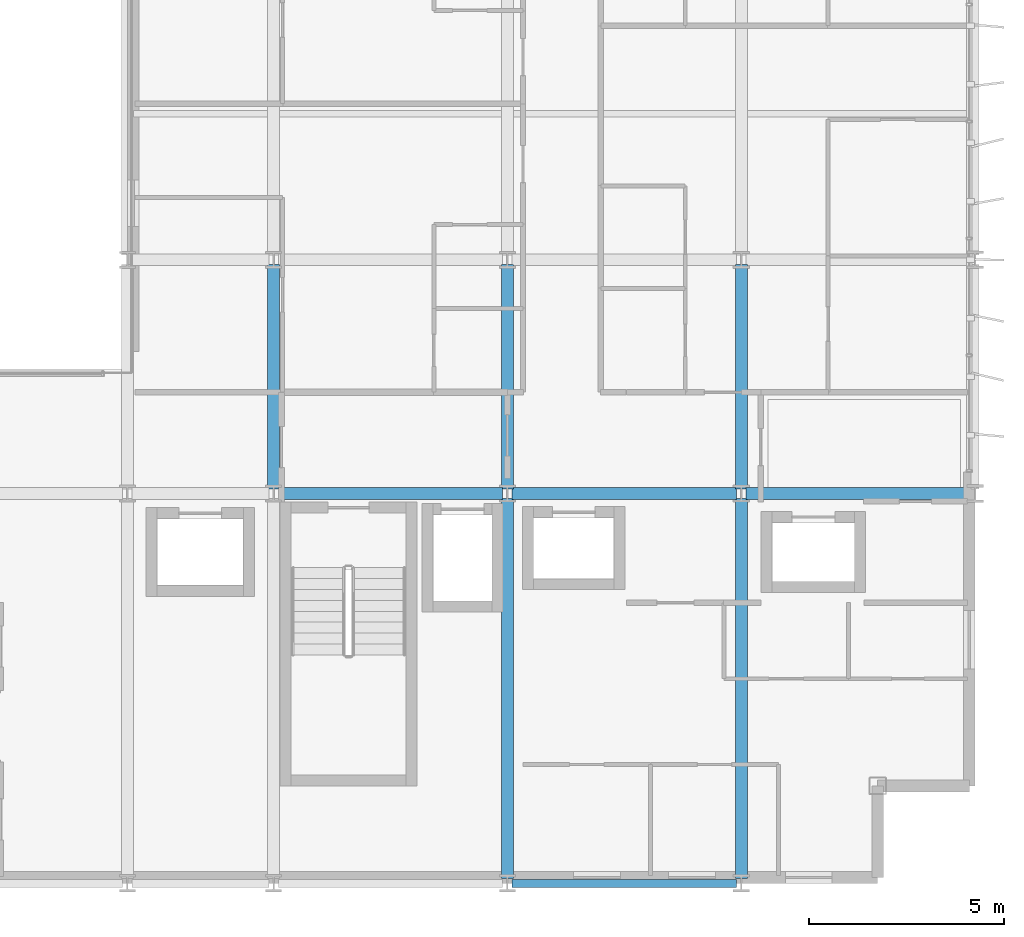
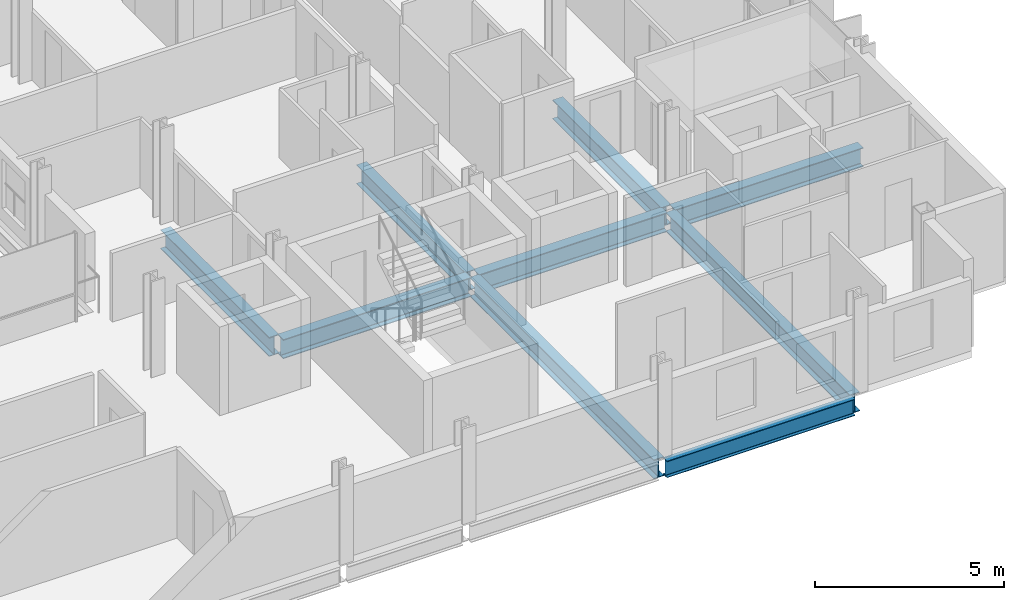
# One storey, part 14 of 38: 9 beams.
"""IFC4 building model written with IfcOpenShell, lengths in metres."""

import ifcopenshell
import ifcopenshell.guid

model = None  # the IFC model being written
_history = None  # IfcOwnerHistory: only IFC2X3 demands one
_inside = {}  # id of a spatial element -> (the spatial element, [elements in it])
_under = {}  # id of a project, library or spatial element -> (it, [spatial elements below it])
_declared = {}  # id of a project -> (the project, [libraries it declares])
_typed = {}  # id of a type object -> (the type object, [elements of that type])
_made_of = {}  # id of a material, layer set ... -> (it, [elements and type objects made of it])


def new_model(schema):
    """Start an empty IFC model of exactly this schema.

    Asked for "IFC4X3", IfcOpenShell would pick the latest addendum, in which some entities
    have other attributes; the version numbers below select the first issue.
    IFC2X3 requires an IfcOwnerHistory on every rooted entity: one is made here for all.
    """
    global model, _history
    if schema == "IFC4X3":
        model = ifcopenshell.file(schema_version=(4, 3, 0, 0))
    else:
        model = ifcopenshell.file(schema=schema)
    _inside.clear()
    _under.clear()
    _declared.clear()
    _typed.clear()
    _made_of.clear()
    _history = None
    if model.schema == "IFC2X3":
        org = make("IfcOrganization", Name="unknown")
        user = make(
            "IfcPersonAndOrganization",
            ThePerson=make("IfcPerson", FamilyName="unknown"),
            TheOrganization=org,
        )
        app = make(
            "IfcApplication",
            ApplicationDeveloper=org,
            Version="unknown",
            ApplicationFullName="unknown",
            ApplicationIdentifier="unknown",
        )
        _history = make(
            "IfcOwnerHistory",
            OwningUser=user,
            OwningApplication=app,
            ChangeAction="ADDED",
            CreationDate=0,
        )
    return model


def make(cls, **values):
    """One entity of the class cls with the attributes given. An attribute that is None is left unset."""
    return model.create_entity(
        cls, **{name: value for name, value in values.items() if value is not None}
    )


def rooted(cls, **values):
    """An entity with a GlobalId (a new one), such as an element, a storey or a relation."""
    return make(cls, GlobalId=ifcopenshell.guid.new(), OwnerHistory=_history, **values)


def si_unit(unit_type, name, prefix=None):
    """IfcSIUnit, for example si_unit("LENGTHUNIT", "METRE", prefix="MILLI")."""
    return make("IfcSIUnit", UnitType=unit_type, Prefix=prefix, Name=name)


def assignment(units):
    """IfcUnitAssignment: the units of a project."""
    return None if units is None else make("IfcUnitAssignment", Units=units)


def point(xyz):
    """IfcCartesianPoint."""
    return None if xyz is None else make("IfcCartesianPoint", Coordinates=xyz)


def direction(xyz):
    """IfcDirection."""
    return None if xyz is None else make("IfcDirection", DirectionRatios=xyz)


def frame(location, z_axis=None, x_axis=None):
    """IfcAxis2Placement3D, a coordinate frame: its origin and axes. An axis left out is left unset."""
    return make(
        "IfcAxis2Placement3D",
        Location=point(location),
        Axis=direction(z_axis),
        RefDirection=direction(x_axis),
    )


def frame_2d(location, x_axis=None):
    """IfcAxis2Placement2D, a coordinate frame in the plane: its origin and x axis."""
    return make(
        "IfcAxis2Placement2D", Location=point(location), RefDirection=direction(x_axis)
    )


def origin():
    """The frame at (0, 0, 0) with its axes left unset."""
    return frame((0.0, 0.0, 0.0))


def origin_2d():
    """The frame at (0, 0) in the plane with its x axis left unset."""
    return frame_2d((0.0, 0.0))


def place(relative_to, where):
    """IfcLocalPlacement: puts the frame where relative to a parent placement (None: the world)."""
    return make(
        "IfcLocalPlacement", PlacementRelTo=relative_to, RelativePlacement=where
    )


def context(
    kind, dimensions, precision=None, world=None, true_north=None, identifier=None
):
    """IfcGeometricRepresentationContext, for example the 3D "Model" context."""
    return make(
        "IfcGeometricRepresentationContext",
        ContextIdentifier=identifier,
        ContextType=kind,
        CoordinateSpaceDimension=dimensions,
        Precision=precision,
        WorldCoordinateSystem=world,
        TrueNorth=true_north,
    )


def subcontext(parent, identifier, kind, view, scale=None):
    """IfcGeometricRepresentationSubContext, for example "Body" below "Model"."""
    return make(
        "IfcGeometricRepresentationSubContext",
        ContextIdentifier=identifier,
        ContextType=kind,
        ParentContext=parent,
        TargetScale=scale,
        TargetView=view,
    )


def project(units=None, contexts=None):
    """IfcProject with its units and contexts."""
    return rooted(
        "IfcProject",
        Name="project",
        RepresentationContexts=contexts,
        UnitsInContext=assignment(units),
    )


def spatial(cls, under=None, at=None, **own):
    """A site, building, storey or space (cls), placed at a placement, below another one or the project."""
    s = rooted(cls, ObjectPlacement=at, **own)
    if under is not None:
        _under.setdefault(under.id(), (under, []))[1].append(s)
    return s


def profile(cls, at=None, kind="AREA", **sizes):
    """A parametric profile (cls). Its sizes go by their IFC names, for example OverallWidth=200.0."""
    return make(cls, ProfileType=kind, Position=at, **sizes)


def i_section(**sizes):
    """IfcIShapeProfileDef."""
    return profile("IfcIShapeProfileDef", **sizes)


def extrude(swept, where, along, depth):
    """IfcExtrudedAreaSolid: the profile swept, set in the frame where, extruded along a direction by depth."""
    return make(
        "IfcExtrudedAreaSolid",
        SweptArea=swept,
        Position=where,
        ExtrudedDirection=direction(along),
        Depth=depth,
    )


def shape(context_of_items, identifier, shape_type, items):
    """IfcShapeRepresentation: the items that make up one representation, for example the "Body"."""
    return make(
        "IfcShapeRepresentation",
        ContextOfItems=context_of_items,
        RepresentationIdentifier=identifier,
        RepresentationType=shape_type,
        Items=items,
    )


def material(Name=None, Category=None):
    """IfcMaterial."""
    return make("IfcMaterial", Name=Name, Category=Category)


def material_profile(
    of_material, cross_section, Name=None, Category=None, Priority=None
):
    """IfcMaterialProfile: a cross section and its material."""
    return make(
        "IfcMaterialProfile",
        Name=Name,
        Material=of_material,
        Profile=cross_section,
        Priority=Priority,
        Category=Category,
    )


def profile_set(profiles, Name=None, composite=None):
    """IfcMaterialProfileSet."""
    return make(
        "IfcMaterialProfileSet",
        Name=Name,
        MaterialProfiles=profiles,
        CompositeProfile=composite,
    )


def made_of(thing, what):
    """Note that an element or type object is made of a material, layer set ...; save() writes the relation."""
    if what is not None:
        _made_of.setdefault(what.id(), (what, []))[1].append(thing)
    return thing


def type_object(cls, material=None, **own):
    """A type object (cls), such as IfcWallType, which elements share."""
    return made_of(rooted(cls, **own), material)


def element(
    cls,
    number,
    at=None,
    inside=None,
    cuts=None,
    type_object=None,
    material=None,
    context=None,
    identifier="Body",
    shape_type=None,
    held_by="IfcProductDefinitionShape",
    body=None,
    shapes=None,
    **own,
):
    """One element of the class cls, such as IfcWall. Its Tag is "e" and its number.

    at: its placement. inside: the storey or other place that contains it. cuts: it is an
    opening in that element (IfcRelVoidsElement). A single representation is given by context,
    identifier, shape_type and body (its items); several are given by shapes. held_by: the class
    of the entity that holds the representations. save() writes the other relations.
    """
    e = rooted(cls, Tag="e%d" % number, ObjectPlacement=at, **own)
    if body is not None:
        shapes = [shape(context, identifier, shape_type, body)]
    if shapes is not None:
        e.Representation = make(held_by, Representations=shapes)
    if inside is not None:
        _inside.setdefault(inside.id(), (inside, []))[1].append(e)
    if cuts is not None:
        rooted(
            "IfcRelVoidsElement", RelatingBuildingElement=cuts, RelatedOpeningElement=e
        )
    if type_object is not None:
        _typed.setdefault(type_object.id(), (type_object, []))[1].append(e)
    return made_of(e, material)


def aggregate(whole, parts):
    """IfcRelAggregates: a whole, such as a stair, and the parts it consists of."""
    return rooted("IfcRelAggregates", RelatingObject=whole, RelatedObjects=parts)


def save(model, path):
    """Write the relations noted so far, then the file.

    IfcRelAggregates (storeys below a building ...), IfcRelContainedInSpatialStructure (elements
    in a storey), IfcRelDefinesByType, IfcRelAssociatesMaterial and IfcRelDeclares: one each for
    every whole, place, type object, material and project.
    """
    for whole, parts in _under.values():
        aggregate(whole, parts)
    for where, things in _inside.values():
        rooted(
            "IfcRelContainedInSpatialStructure",
            RelatedElements=things,
            RelatingStructure=where,
        )
    for kind, things in _typed.values():
        rooted("IfcRelDefinesByType", RelatedObjects=things, RelatingType=kind)
    for what, things in _made_of.values():
        rooted("IfcRelAssociatesMaterial", RelatedObjects=things, RelatingMaterial=what)
    for by, libraries in _declared.values():
        rooted("IfcRelDeclares", RelatingContext=by, RelatedDefinitions=libraries)
    model.write(path)


model = new_model("IFC4")

# Units and contexts
model_context = context("Model", 3, precision=1e-05, world=origin(), true_north=direction((0.0, 1.0)))
body_context = subcontext(model_context, "Body", "Model", "MODEL_VIEW")
ifc_project = project(units=[si_unit("LENGTHUNIT", "METRE"), si_unit("AREAUNIT", "SQUARE_METRE"), si_unit("VOLUMEUNIT", "CUBIC_METRE"), si_unit("PLANEANGLEUNIT", "RADIAN"), si_unit("MASSUNIT", "GRAM", prefix="KILO")], contexts=[model_context])

# Site, building, storey
site_placement = place(None, origin())
site = spatial("IfcSite", under=ifc_project, at=site_placement, CompositionType="ELEMENT")
building_placement = place(site_placement, origin())
building = spatial("IfcBuilding", under=site, at=building_placement, Name="Brevholm Reach", CompositionType="ELEMENT")
storey_placement = place(building_placement, frame((0.0, 0.0, 65.199951171875)))
storey = spatial("IfcBuildingStorey", under=building, at=storey_placement, Name="L18", CompositionType="ELEMENT", Elevation=65.199951171875)

# Beams
ifc_material_1 = material(Name="Structural Steel S355J2", Category="steel")
ifc_material_profile_1 = material_profile(ifc_material_1, i_section(OverallWidth=0.210693359375, OverallDepth=0.53955078125, WebThickness=0.01171875, FlangeThickness=0.018798828125, FilletRadius=0.0126953125, at=origin_2d()), Name="UKB 533x210x109")
ifc_profile_set_1 = profile_set([ifc_material_profile_1], Name="Structural Steel S355J2")
beam_type_1 = type_object("IfcBeamType", Name="BM-SP539", PredefinedType="SPANDREL", material=ifc_profile_set_1)
beam_1_placement = place(storey_placement, frame((48.1201171875, 0.0, -0.499755859375), z_axis=(1.0, 0.0, 0.0), x_axis=(0.0, 1.0, 0.0)))
element("IfcBeam", 1, at=beam_1_placement, inside=storey, type_object=beam_type_1, Name="L18 SP-01B Framing Beam", PredefinedType="SPANDREL", context=body_context, shape_type="SweptSolid", body=[
    extrude(i_section(OverallWidth=0.210693359375, OverallDepth=0.53955078125, WebThickness=0.01171875, FlangeThickness=0.018798828125, FilletRadius=0.0126953125, at=origin_2d()), origin(), (0.0, 0.0, 1.0), 5.759765625),
])
ifc_material_2 = material(Name="Structural Steel S355J2", Category="steel")
ifc_material_profile_2 = material_profile(ifc_material_2, i_section(OverallWidth=0.30712890625, OverallDepth=0.6201171875, WebThickness=0.01416015625, FlangeThickness=0.023681640625, FilletRadius=0.0166015625, at=origin_2d()), Name="UKB 610x305x179")
ifc_profile_set_2 = profile_set([ifc_material_profile_2], Name="Structural Steel S355J2")
beam_type_2 = type_object("IfcBeamType", Name="BM-UKB610H", PredefinedType="USERDEFINED", material=ifc_profile_set_2)
for number, where, z_axis, x_axis, name in (
    (2, (42.1201171875, 10.0, -0.5400390625), (1.0, 0.0, 0.0), (0.0, 1.0, 0.0), "L18 G-06 Framing Beam"),
    (3, (48.1201171875, 10.0, -0.5400390625), (1.0, 0.0, 0.0), (0.0, 1.0, 0.0), "L18 G-06 Framing Beam"),
    (4, (54.1201171875, 10.0, -0.5400390625), (1.0, 0.0, 0.0), (0.0, 1.0, 0.0), "L18 G-06 Framing Beam"),
    (5, (42.0, 10.1201171875, -0.5400390625), (0.0, 1.0, 0.0), (-1.0, 0.0, 0.0), "L18 G-06 Framing Beam"),
):
    element("IfcBeam", number, at=place(storey_placement, frame(where, z_axis=z_axis, x_axis=x_axis)), inside=storey, type_object=beam_type_2, Name=name, ObjectType="GIRDER", PredefinedType="USERDEFINED", context=body_context, shape_type="SweptSolid", body=[
        extrude(i_section(OverallWidth=0.30712890625, OverallDepth=0.6201171875, WebThickness=0.01416015625, FlangeThickness=0.023681640625, FilletRadius=0.0166015625, at=origin_2d()), origin(), (0.0, 0.0, 1.0), 5.759765625),
    ])
beam_2_placement = place(storey_placement, frame((48.0, 0.1201171875, -0.5400390625), z_axis=(0.0, 1.0, 0.0), x_axis=(-1.0, 0.0, 0.0)))
element("IfcBeam", 6, at=beam_2_placement, inside=storey, type_object=beam_type_2, Name="L18 G-06 Framing Beam", ObjectType="GIRDER", PredefinedType="USERDEFINED", context=body_context, shape_type="SweptSolid", body=[
    extrude(i_section(OverallWidth=0.30712890625, OverallDepth=0.6201171875, WebThickness=0.01416015625, FlangeThickness=0.023681640625, FilletRadius=0.0166015625, at=origin_2d()), origin(), (0.0, 0.0, 1.0), 9.759765625),
])
beam_3_placement = place(storey_placement, frame((48.0, 10.1201171875, -0.5400390625), z_axis=(0.0, 1.0, 0.0), x_axis=(-1.0, 0.0, 0.0)))
element("IfcBeam", 7, at=beam_3_placement, inside=storey, type_object=beam_type_2, Name="L18 G-06 Framing Beam", ObjectType="GIRDER", PredefinedType="USERDEFINED", context=body_context, shape_type="SweptSolid", body=[
    extrude(i_section(OverallWidth=0.30712890625, OverallDepth=0.6201171875, WebThickness=0.01416015625, FlangeThickness=0.023681640625, FilletRadius=0.0166015625, at=origin_2d()), origin(), (0.0, 0.0, 1.0), 5.759765625),
])
beam_4_placement = place(storey_placement, frame((54.0, 0.1201171875, -0.5400390625), z_axis=(0.0, 1.0, 0.0), x_axis=(-1.0, 0.0, 0.0)))
element("IfcBeam", 8, at=beam_4_placement, inside=storey, type_object=beam_type_2, Name="L18 G-06 Framing Beam", ObjectType="GIRDER", PredefinedType="USERDEFINED", context=body_context, shape_type="SweptSolid", body=[
    extrude(i_section(OverallWidth=0.30712890625, OverallDepth=0.6201171875, WebThickness=0.01416015625, FlangeThickness=0.023681640625, FilletRadius=0.0166015625, at=origin_2d()), origin(), (0.0, 0.0, 1.0), 9.759765625),
])
beam_5_placement = place(storey_placement, frame((54.0, 10.1201171875, -0.5400390625), z_axis=(0.0, 1.0, 0.0), x_axis=(-1.0, 0.0, 0.0)))
element("IfcBeam", 9, at=beam_5_placement, inside=storey, type_object=beam_type_2, Name="L18 G-06 Framing Beam", ObjectType="GIRDER", PredefinedType="USERDEFINED", context=body_context, shape_type="SweptSolid", body=[
    extrude(i_section(OverallWidth=0.30712890625, OverallDepth=0.6201171875, WebThickness=0.01416015625, FlangeThickness=0.023681640625, FilletRadius=0.0166015625, at=origin_2d()), origin(), (0.0, 0.0, 1.0), 5.759765625),
])

save(model, "model.ifc")
